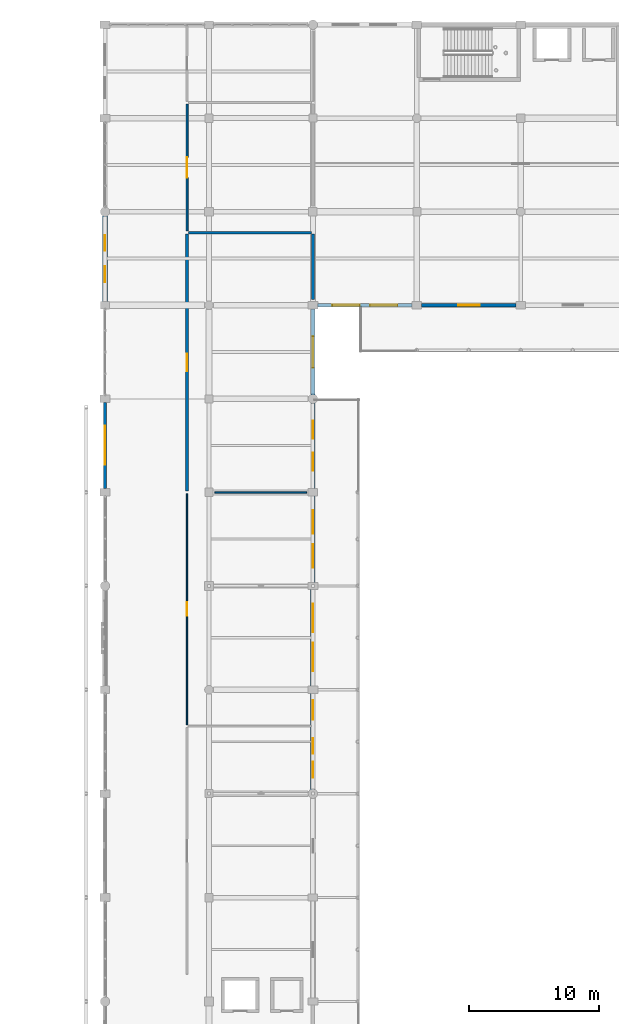
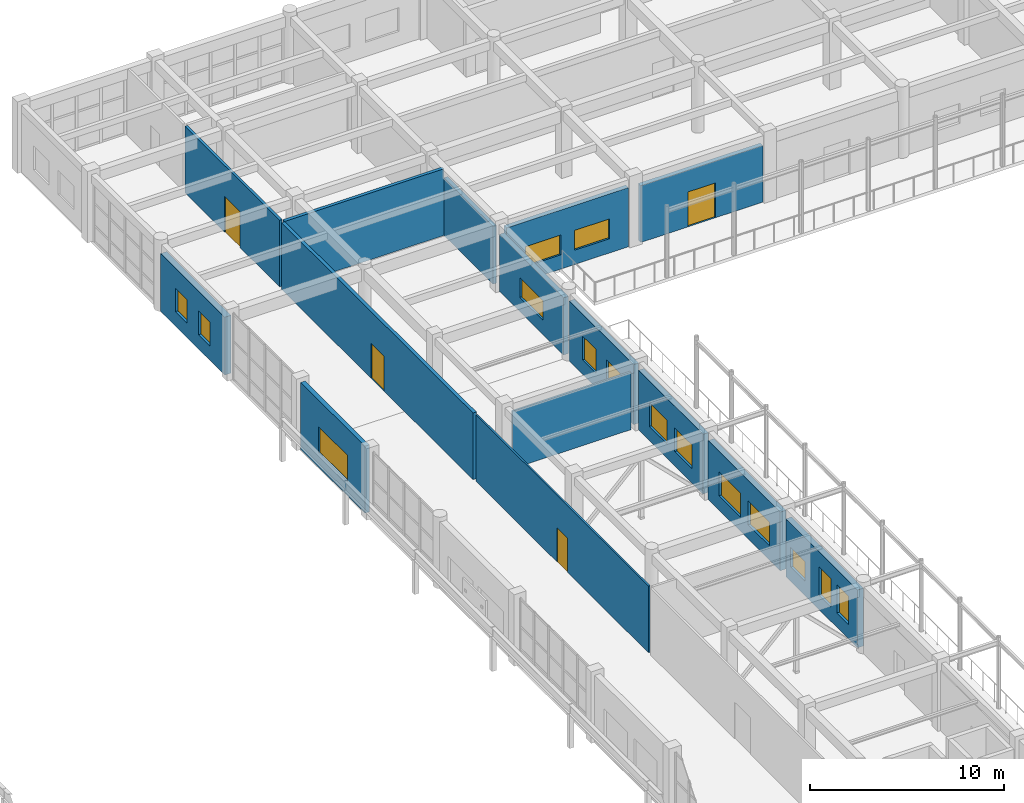
# One storey, part 130 of 160: 15 walls, 15 windows, 4 doors, 19 openings.
"""IFC4 building model written with IfcOpenShell, lengths in metres."""

from ifc_helpers import new_model, si_unit, direction, frame, frame_2d, origin, place, context, subcontext, project, spatial, rectangle, extrude, material, layer, layer_set, type_object, element, fill, save


model = new_model("IFC4")

# Units and contexts
model_context = context("Model", 3, precision=1e-05, world=origin(), true_north=direction((0.0, 1.0)))
body_context = subcontext(model_context, "Body", "Model", "MODEL_VIEW")
ifc_project = project(units=[si_unit("LENGTHUNIT", "METRE"), si_unit("AREAUNIT", "SQUARE_METRE"), si_unit("VOLUMEUNIT", "CUBIC_METRE"), si_unit("PLANEANGLEUNIT", "RADIAN"), si_unit("MASSUNIT", "GRAM", prefix="KILO")], contexts=[model_context])

# Site, building, storey
site_placement = place(None, origin())
site = spatial("IfcSite", under=ifc_project, at=site_placement, CompositionType="ELEMENT")
building_placement = place(site_placement, origin())
building = spatial("IfcBuilding", under=site, at=building_placement, Name="Kharva Crest Polytechnic", CompositionType="ELEMENT")
storey_placement = place(building_placement, frame((0.0, 0.0, 4.5)))
storey = spatial("IfcBuildingStorey", under=building, at=storey_placement, Name="L01", CompositionType="ELEMENT", Elevation=4.5)

# Wall, opening, window
ifc_material_1 = material(Name="Kiln brick masonry", Category="masonry")
ifc_layer_1 = layer(ifc_material_1, 0.260009765625, Name="Kiln brick masonry")
ifc_layer_set_1 = layer_set([ifc_layer_1], Name="Kiln brick masonry")
wall_type_1 = type_object("IfcWallType", Name="WL-EXT-BRK-260", PredefinedType="SOLIDWALL", material=ifc_layer_set_1)
wall_1_placement = place(storey_placement, frame((32.0, 92.929931640625, 0.0), z_axis=(0.0, 0.0, 1.0), x_axis=(0.0, -1.0, 0.0)))
wall_1 = element("IfcWall", 1, at=wall_1_placement, inside=storey, type_object=wall_type_1, Name="L01 Exterior Brick Wall 164", PredefinedType="SOLIDWALL", context=body_context, shape_type="SweptSolid", body=[
    extrude(rectangle(XDim=6.635009765625, YDim=0.260009765625, at=frame_2d((3.3173828125, 0.0))), origin(), (0.0, 0.0, 1.0), 4.219970703125),
])
opening_1_placement = place(wall_1_placement, frame((1.818115234375, 0.0, 0.89990234375)))
opening_1 = element("IfcOpeningElement", 2, at=opening_1_placement, cuts=wall_1, Name="Opening W23", PredefinedType="OPENING", context=body_context, shape_type="SweptSolid", body=[
    extrude(rectangle(XDim=3.0, YDim=1.64990234375, at=frame_2d((1.5, 0.824951171875))), frame((0.0, 0.139892578125, 0.0), z_axis=(0.0, -1.0, 0.0), x_axis=(1.0, 0.0, 0.0)), (0.0, 0.0, 1.0), 0.280029296875),
])
ifc_material_2 = material(Name="Anodised aluminium", Category="aluminium")
window_type_1 = type_object("IfcWindowType", Name="WIN-ALU-3000X1650", PartitioningType="SINGLE_PANEL", PredefinedType="WINDOW", material=ifc_material_2)
window_1_placement = place(opening_1_placement, origin())
window_1 = element("IfcWindow", 3, at=window_1_placement, inside=storey, type_object=window_type_1, Name="L01 Exterior Window 213", OverallHeight=1.64990234375, OverallWidth=3.0, PartitioningType="SINGLE_PANEL", PredefinedType="WINDOW", context=body_context, shape_type="SweptSolid", body=[
    extrude(rectangle(XDim=3.0, YDim=1.64990234375, at=frame_2d((1.5, 0.824951171875))), frame((0.0, 0.030029296875, 0.0), z_axis=(0.0, -1.0, 0.0), x_axis=(1.0, 0.0, 0.0)), (0.0, 0.0, 1.0), 0.06005859375),
])
fill(opening_1, window_1)

# Wall, opening, door
wall_2_placement = place(storey_placement, frame((56.3701171875, 100.39990234375, 0.0), z_axis=(0.0, 0.0, 1.0), x_axis=(1.0, 0.0, 0.0)))
wall_2 = element("IfcWall", 4, at=wall_2_placement, inside=storey, type_object=wall_type_1, Name="L01 Exterior Brick Wall 179", PredefinedType="SOLIDWALL", context=body_context, shape_type="SweptSolid", body=[
    extrude(rectangle(XDim=7.27490234375, YDim=0.260009765625, at=frame_2d((3.637451171875, 0.0))), origin(), (0.0, 0.0, 1.0), 3.570068359375),
])
opening_2_placement = place(wall_2_placement, frame((2.81298828125, 0.0, 0.0)))
opening_2 = element("IfcOpeningElement", 5, at=opening_2_placement, cuts=wall_2, Name="Opening ED7", PredefinedType="OPENING", context=body_context, shape_type="SweptSolid", body=[
    extrude(rectangle(XDim=1.64990234375, YDim=2.199951171875, at=frame_2d((0.824951171875, 1.10009765625))), frame((0.0, 0.139892578125, 0.0), z_axis=(0.0, -1.0, 0.0), x_axis=(1.0, 0.0, 0.0)), (0.0, 0.0, 1.0), 0.280029296875),
])
door_type_1 = type_object("IfcDoorType", Name="DR-EXT-TER-1650X2200", OperationType="NOTDEFINED", PredefinedType="DOOR", material=ifc_material_2)
door_1_placement = place(opening_2_placement, frame((1.64990234375, 0.0, 0.0), z_axis=(0.0, 0.0, 1.0), x_axis=(-1.0, 0.0, 0.0)))
door_1 = element("IfcDoor", 6, at=door_1_placement, inside=storey, type_object=door_type_1, Name="L01 VER_N_L01 Access Door 36", OperationType="DOUBLE_DOOR_SINGLE_SWING", OverallHeight=2.199951171875, OverallWidth=1.64990234375, PredefinedType="DOOR", context=body_context, shape_type="SweptSolid", body=[
    extrude(rectangle(XDim=1.64990234375, YDim=2.199951171875, at=frame_2d((0.824951171875, 1.10009765625))), frame((0.0, 0.02490234375, 0.0), z_axis=(0.0, -1.0, 0.0), x_axis=(1.0, 0.0, 0.0)), (0.0, 0.0, 1.0), 0.050048828125),
])
fill(opening_2, door_1)

# Wall, openings, windows
ifc_layer_2 = layer(ifc_material_1, 0.27490234375, Name="Kiln brick masonry")
ifc_layer_set_2 = layer_set([ifc_layer_2], Name="Kiln brick masonry")
wall_type_2 = type_object("IfcWallType", Name="WL-EXT-BRK-275", PredefinedType="SOLIDWALL", material=ifc_layer_set_2)
wall_3_placement = place(storey_placement, frame((48.3701171875, 100.39990234375, 0.0), z_axis=(0.0, 0.0, 1.0), x_axis=(1.0, 0.0, 0.0)))
wall_3 = element("IfcWall", 7, at=wall_3_placement, inside=storey, type_object=wall_type_2, Name="L01 Exterior Brick Wall 178", PredefinedType="SOLIDWALL", context=body_context, shape_type="SweptSolid", body=[
    extrude(rectangle(XDim=7.259765625, YDim=0.27490234375, at=frame_2d((3.6298828125, 0.0))), origin(), (0.0, 0.0, 1.0), 3.719970703125),
])
opening_3_placement = place(wall_3_placement, frame((1.126953125, 0.0, 0.89990234375)))
opening_3 = element("IfcOpeningElement", 8, at=opening_3_placement, cuts=wall_3, Name="Opening W18", PredefinedType="OPENING", context=body_context, shape_type="SweptSolid", body=[
    extrude(rectangle(XDim=2.10009765625, YDim=1.25, at=frame_2d((1.050048828125, 0.625))), frame((0.0, 0.1474609375, 0.0), z_axis=(0.0, -1.0, 0.0), x_axis=(1.0, 0.0, 0.0)), (0.0, 0.0, 1.0), 0.294921875),
])
opening_4_placement = place(wall_3_placement, frame((4.032958984375, 0.0, 0.89990234375)))
opening_4 = element("IfcOpeningElement", 9, at=opening_4_placement, cuts=wall_3, Name="Opening W18", PredefinedType="OPENING", context=body_context, shape_type="SweptSolid", body=[
    extrude(rectangle(XDim=2.10009765625, YDim=1.25, at=frame_2d((1.050048828125, 0.625))), frame((0.0, 0.1474609375, 0.0), z_axis=(0.0, -1.0, 0.0), x_axis=(1.0, 0.0, 0.0)), (0.0, 0.0, 1.0), 0.294921875),
])
window_type_2 = type_object("IfcWindowType", Name="WIN-ALU-2100X1250", PartitioningType="SINGLE_PANEL", PredefinedType="WINDOW", material=ifc_material_2)
window_2_placement = place(opening_3_placement, origin())
window_2 = element("IfcWindow", 10, at=window_2_placement, inside=storey, type_object=window_type_2, Name="L01 Exterior Window 232", OverallHeight=1.25, OverallWidth=2.10009765625, PartitioningType="SINGLE_PANEL", PredefinedType="WINDOW", context=body_context, shape_type="SweptSolid", body=[
    extrude(rectangle(XDim=2.10009765625, YDim=1.25, at=frame_2d((1.050048828125, 0.625))), frame((0.0, 0.030029296875, 0.0), z_axis=(0.0, -1.0, 0.0), x_axis=(1.0, 0.0, 0.0)), (0.0, 0.0, 1.0), 0.06005859375),
])
fill(opening_3, window_2)
window_3_placement = place(opening_4_placement, origin())
window_3 = element("IfcWindow", 11, at=window_3_placement, inside=storey, type_object=window_type_2, Name="L01 Exterior Window 233", OverallHeight=1.25, OverallWidth=2.10009765625, PartitioningType="SINGLE_PANEL", PredefinedType="WINDOW", context=body_context, shape_type="SweptSolid", body=[
    extrude(rectangle(XDim=2.10009765625, YDim=1.25, at=frame_2d((1.050048828125, 0.625))), frame((0.0, 0.030029296875, 0.0), z_axis=(0.0, -1.0, 0.0), x_axis=(1.0, 0.0, 0.0)), (0.0, 0.0, 1.0), 0.06005859375),
])
fill(opening_4, window_3)

# Wall, opening, window
ifc_layer_3 = layer(ifc_material_1, 0.2900390625, Name="Kiln brick masonry")
ifc_layer_set_3 = layer_set([ifc_layer_3], Name="Kiln brick masonry")
wall_type_3 = type_object("IfcWallType", Name="WL-EXT-BRK-290", PredefinedType="SOLIDWALL", material=ifc_layer_set_3)
wall_4_placement = place(storey_placement, frame((48.0, 93.50244140625, 0.0), z_axis=(0.0, 0.0, 1.0), x_axis=(0.0, 1.0, 0.0)))
wall_4 = element("IfcWall", 12, at=wall_4_placement, inside=storey, type_object=wall_type_3, Name="L01 Exterior Brick Wall 177", PredefinedType="SOLIDWALL", context=body_context, shape_type="SweptSolid", body=[
    extrude(rectangle(XDim=6.6025390625, YDim=0.2900390625, at=frame_2d((3.30126953125, 0.0))), origin(), (0.0, 0.0, 1.0), 3.60009765625),
])
opening_5_placement = place(wall_4_placement, frame((2.10107421875, 0.0, 0.89990234375)))
opening_5 = element("IfcOpeningElement", 13, at=opening_5_placement, cuts=wall_4, Name="Opening W17", PredefinedType="OPENING", context=body_context, shape_type="SweptSolid", body=[
    extrude(rectangle(XDim=2.39990234375, YDim=1.25, at=frame_2d((1.199951171875, 0.625))), frame((0.0, 0.155029296875, 0.0), z_axis=(0.0, -1.0, 0.0), x_axis=(1.0, 0.0, 0.0)), (0.0, 0.0, 1.0), 0.31005859375),
])
window_type_3 = type_object("IfcWindowType", Name="WIN-ALU-2400X1250", PartitioningType="SINGLE_PANEL", PredefinedType="WINDOW", material=ifc_material_2)
window_4_placement = place(opening_5_placement, origin())
window_4 = element("IfcWindow", 14, at=window_4_placement, inside=storey, type_object=window_type_3, Name="L01 Exterior Window 231", OverallHeight=1.25, OverallWidth=2.39990234375, PartitioningType="SINGLE_PANEL", PredefinedType="WINDOW", context=body_context, shape_type="SweptSolid", body=[
    extrude(rectangle(XDim=2.39990234375, YDim=1.25, at=frame_2d((1.199951171875, 0.625))), frame((0.0, 0.030029296875, 0.0), z_axis=(0.0, -1.0, 0.0), x_axis=(1.0, 0.0, 0.0)), (0.0, 0.0, 1.0), 0.06005859375),
])
fill(opening_5, window_4)

# Wall, openings, windows
ifc_layer_4 = layer(ifc_material_1, 0.304931640625, Name="Kiln brick masonry")
ifc_layer_set_4 = layer_set([ifc_layer_4], Name="Kiln brick masonry")
wall_type_4 = type_object("IfcWallType", Name="WL-EXT-BRK-305", PredefinedType="SOLIDWALL", material=ifc_layer_set_4)
wall_5_placement = place(storey_placement, frame((48.0, 86.27001953125, 0.0), z_axis=(0.0, 0.0, 1.0), x_axis=(0.0, 1.0, 0.0)))
wall_5 = element("IfcWall", 15, at=wall_5_placement, inside=storey, type_object=wall_type_4, Name="L01 Exterior Brick Wall 176", PredefinedType="SOLIDWALL", context=body_context, shape_type="SweptSolid", body=[
    extrude(rectangle(XDim=6.627685546875, YDim=0.304931640625, at=frame_2d((3.31396484375, 0.0))), origin(), (0.0, 0.0, 1.0), 3.780029296875),
])
opening_6_placement = place(wall_5_placement, frame((1.383056640625, 0.0, 0.89990234375)))
opening_6 = element("IfcOpeningElement", 16, at=opening_6_placement, cuts=wall_5, Name="Opening W15", PredefinedType="OPENING", context=body_context, shape_type="SweptSolid", body=[
    extrude(rectangle(XDim=1.39990234375, YDim=1.5, at=frame_2d((0.699951171875, 0.75))), frame((0.0, 0.162353515625, 0.0), z_axis=(0.0, -1.0, 0.0), x_axis=(1.0, 0.0, 0.0)), (0.0, 0.0, 1.0), 0.324951171875),
])
opening_7_placement = place(wall_5_placement, frame((3.844970703125, 0.0, 0.89990234375)))
opening_7 = element("IfcOpeningElement", 17, at=opening_7_placement, cuts=wall_5, Name="Opening W15", PredefinedType="OPENING", context=body_context, shape_type="SweptSolid", body=[
    extrude(rectangle(XDim=1.39990234375, YDim=1.5, at=frame_2d((0.699951171875, 0.75))), frame((0.0, 0.162353515625, 0.0), z_axis=(0.0, -1.0, 0.0), x_axis=(1.0, 0.0, 0.0)), (0.0, 0.0, 1.0), 0.324951171875),
])
window_type_4 = type_object("IfcWindowType", Name="WIN-ALU-1400X1500", PartitioningType="SINGLE_PANEL", PredefinedType="WINDOW", material=ifc_material_2)
window_5_placement = place(opening_6_placement, origin())
window_5 = element("IfcWindow", 18, at=window_5_placement, inside=storey, type_object=window_type_4, Name="L01 Exterior Window 229", OverallHeight=1.5, OverallWidth=1.39990234375, PartitioningType="SINGLE_PANEL", PredefinedType="WINDOW", context=body_context, shape_type="SweptSolid", body=[
    extrude(rectangle(XDim=1.39990234375, YDim=1.5, at=frame_2d((0.699951171875, 0.75))), frame((0.0, 0.030029296875, 0.0), z_axis=(0.0, -1.0, 0.0), x_axis=(1.0, 0.0, 0.0)), (0.0, 0.0, 1.0), 0.06005859375),
])
fill(opening_6, window_5)
window_6_placement = place(opening_7_placement, origin())
window_6 = element("IfcWindow", 19, at=window_6_placement, inside=storey, type_object=window_type_4, Name="L01 Exterior Window 230", OverallHeight=1.5, OverallWidth=1.39990234375, PartitioningType="SINGLE_PANEL", PredefinedType="WINDOW", context=body_context, shape_type="SweptSolid", body=[
    extrude(rectangle(XDim=1.39990234375, YDim=1.5, at=frame_2d((0.699951171875, 0.75))), frame((0.0, 0.030029296875, 0.0), z_axis=(0.0, -1.0, 0.0), x_axis=(1.0, 0.0, 0.0)), (0.0, 0.0, 1.0), 0.06005859375),
])
fill(opening_7, window_6)

ifc_layer_5 = layer(ifc_material_1, 0.320068359375, Name="Kiln brick masonry")
ifc_layer_set_5 = layer_set([ifc_layer_5], Name="Kiln brick masonry")
wall_type_5 = type_object("IfcWallType", Name="WL-EXT-BRK-320", PredefinedType="SOLIDWALL", material=ifc_layer_set_5)
wall_6_placement = place(storey_placement, frame((48.0, 79.070068359375, 0.0), z_axis=(0.0, 0.0, 1.0), x_axis=(0.0, 1.0, 0.0)))
wall_6 = element("IfcWall", 20, at=wall_6_placement, inside=storey, type_object=wall_type_5, Name="L01 Exterior Brick Wall 175", PredefinedType="SOLIDWALL", context=body_context, shape_type="SweptSolid", body=[
    extrude(rectangle(XDim=6.659912109375, YDim=0.320068359375, at=frame_2d((3.330078125, 0.0))), origin(), (0.0, 0.0, 1.0), 3.760009765625),
])
opening_8_placement = place(wall_6_placement, frame((1.126953125, 0.0, 0.89990234375)))
opening_8 = element("IfcOpeningElement", 21, at=opening_8_placement, cuts=wall_6, Name="Opening W13", PredefinedType="OPENING", context=body_context, shape_type="SweptSolid", body=[
    extrude(rectangle(XDim=1.800048828125, YDim=1.5, at=frame_2d((0.89990234375, 0.75))), frame((0.0, 0.169921875, 0.0), z_axis=(0.0, -1.0, 0.0), x_axis=(1.0, 0.0, 0.0)), (0.0, 0.0, 1.0), 0.340087890625),
])
opening_9_placement = place(wall_6_placement, frame((3.73291015625, 0.0, 0.89990234375)))
opening_9 = element("IfcOpeningElement", 22, at=opening_9_placement, cuts=wall_6, Name="Opening W13", PredefinedType="OPENING", context=body_context, shape_type="SweptSolid", body=[
    extrude(rectangle(XDim=1.800048828125, YDim=1.5, at=frame_2d((0.89990234375, 0.75))), frame((0.0, 0.169921875, 0.0), z_axis=(0.0, -1.0, 0.0), x_axis=(1.0, 0.0, 0.0)), (0.0, 0.0, 1.0), 0.340087890625),
])
window_type_5 = type_object("IfcWindowType", Name="WIN-ALU-1800X1500", PartitioningType="SINGLE_PANEL", PredefinedType="WINDOW", material=ifc_material_2)
window_7_placement = place(opening_8_placement, origin())
window_7 = element("IfcWindow", 23, at=window_7_placement, inside=storey, type_object=window_type_5, Name="L01 Exterior Window 227", OverallHeight=1.5, OverallWidth=1.800048828125, PartitioningType="SINGLE_PANEL", PredefinedType="WINDOW", context=body_context, shape_type="SweptSolid", body=[
    extrude(rectangle(XDim=1.800048828125, YDim=1.5, at=frame_2d((0.89990234375, 0.75))), frame((0.0, 0.030029296875, 0.0), z_axis=(0.0, -1.0, 0.0), x_axis=(1.0, 0.0, 0.0)), (0.0, 0.0, 1.0), 0.06005859375),
])
fill(opening_8, window_7)
window_8_placement = place(opening_9_placement, origin())
window_8 = element("IfcWindow", 24, at=window_8_placement, inside=storey, type_object=window_type_5, Name="L01 Exterior Window 228", OverallHeight=1.5, OverallWidth=1.800048828125, PartitioningType="SINGLE_PANEL", PredefinedType="WINDOW", context=body_context, shape_type="SweptSolid", body=[
    extrude(rectangle(XDim=1.800048828125, YDim=1.5, at=frame_2d((0.89990234375, 0.75))), frame((0.0, 0.030029296875, 0.0), z_axis=(0.0, -1.0, 0.0), x_axis=(1.0, 0.0, 0.0)), (0.0, 0.0, 1.0), 0.06005859375),
])
fill(opening_9, window_8)

ifc_layer_6 = layer(ifc_material_1, 0.3349609375, Name="Kiln brick masonry")
ifc_layer_set_6 = layer_set([ifc_layer_6], Name="Kiln brick masonry")
wall_type_6 = type_object("IfcWallType", Name="WL-EXT-BRK-335", PredefinedType="SOLIDWALL", material=ifc_layer_set_6)
wall_7_placement = place(storey_placement, frame((48.0, 71.094970703125, 0.0), z_axis=(0.0, 0.0, 1.0), x_axis=(0.0, 1.0, 0.0)))
wall_7 = element("IfcWall", 25, at=wall_7_placement, inside=storey, type_object=wall_type_6, Name="L01 Exterior Brick Wall 174", PredefinedType="SOLIDWALL", context=body_context, shape_type="SweptSolid", body=[
    extrude(rectangle(XDim=7.43505859375, YDim=0.3349609375, at=frame_2d((3.717529296875, 0.0))), origin(), (0.0, 0.0, 1.0), 3.699951171875),
])
opening_10_placement = place(wall_7_placement, frame((1.117919921875, 0.0, 0.89990234375)))
opening_10 = element("IfcOpeningElement", 26, at=opening_10_placement, cuts=wall_7, Name="Opening W11", PredefinedType="OPENING", context=body_context, shape_type="SweptSolid", body=[
    extrude(rectangle(XDim=2.199951171875, YDim=1.5, at=frame_2d((1.10009765625, 0.75))), frame((0.0, 0.177490234375, 0.0), z_axis=(0.0, -1.0, 0.0), x_axis=(1.0, 0.0, 0.0)), (0.0, 0.0, 1.0), 0.35498046875),
])
opening_11_placement = place(wall_7_placement, frame((4.116943359375, 0.0, 0.89990234375)))
opening_11 = element("IfcOpeningElement", 27, at=opening_11_placement, cuts=wall_7, Name="Opening W11", PredefinedType="OPENING", context=body_context, shape_type="SweptSolid", body=[
    extrude(rectangle(XDim=2.199951171875, YDim=1.5, at=frame_2d((1.10009765625, 0.75))), frame((0.0, 0.177490234375, 0.0), z_axis=(0.0, -1.0, 0.0), x_axis=(1.0, 0.0, 0.0)), (0.0, 0.0, 1.0), 0.35498046875),
])
window_type_6 = type_object("IfcWindowType", Name="WIN-ALU-2200X1500", PartitioningType="SINGLE_PANEL", PredefinedType="WINDOW", material=ifc_material_2)
window_9_placement = place(opening_10_placement, origin())
window_9 = element("IfcWindow", 28, at=window_9_placement, inside=storey, type_object=window_type_6, Name="L01 Exterior Window 225", OverallHeight=1.5, OverallWidth=2.199951171875, PartitioningType="SINGLE_PANEL", PredefinedType="WINDOW", context=body_context, shape_type="SweptSolid", body=[
    extrude(rectangle(XDim=2.199951171875, YDim=1.5, at=frame_2d((1.10009765625, 0.75))), frame((0.0, 0.030029296875, 0.0), z_axis=(0.0, -1.0, 0.0), x_axis=(1.0, 0.0, 0.0)), (0.0, 0.0, 1.0), 0.06005859375),
])
fill(opening_10, window_9)
window_10_placement = place(opening_11_placement, origin())
window_10 = element("IfcWindow", 29, at=window_10_placement, inside=storey, type_object=window_type_6, Name="L01 Exterior Window 226", OverallHeight=1.5, OverallWidth=2.199951171875, PartitioningType="SINGLE_PANEL", PredefinedType="WINDOW", context=body_context, shape_type="SweptSolid", body=[
    extrude(rectangle(XDim=2.199951171875, YDim=1.5, at=frame_2d((1.10009765625, 0.75))), frame((0.0, 0.030029296875, 0.0), z_axis=(0.0, -1.0, 0.0), x_axis=(1.0, 0.0, 0.0)), (0.0, 0.0, 1.0), 0.06005859375),
])
fill(opening_11, window_10)

ifc_layer_7 = layer(ifc_material_1, 0.35009765625, Name="Kiln brick masonry")
ifc_layer_set_7 = layer_set([ifc_layer_7], Name="Kiln brick masonry")
wall_type_7 = type_object("IfcWallType", Name="WL-EXT-BRK-350", PredefinedType="SOLIDWALL", material=ifc_layer_set_7)
wall_8_placement = place(storey_placement, frame((48.0, 63.102294921875, 0.0), z_axis=(0.0, 0.0, 1.0), x_axis=(0.0, 1.0, 0.0)))
wall_8 = element("IfcWall", 30, at=wall_8_placement, inside=storey, type_object=wall_type_7, Name="L01 Exterior Brick Wall 173", PredefinedType="SOLIDWALL", context=body_context, shape_type="SweptSolid", body=[
    extrude(rectangle(XDim=7.402587890625, YDim=0.35009765625, at=frame_2d((3.701171875, 0.0))), origin(), (0.0, 0.0, 1.0), 3.639892578125),
])
opening_12_placement = place(wall_8_placement, frame((0.93896484375, 0.0, 0.89990234375)))
opening_12 = element("IfcOpeningElement", 31, at=opening_12_placement, cuts=wall_8, Name="Opening W08", PredefinedType="OPENING", context=body_context, shape_type="SweptSolid", body=[
    extrude(rectangle(XDim=1.199951171875, YDim=1.800048828125, at=frame_2d((0.60009765625, 0.89990234375))), frame((0.0, 0.18505859375, 0.0), z_axis=(0.0, -1.0, 0.0), x_axis=(1.0, 0.0, 0.0)), (0.0, 0.0, 1.0), 0.3701171875),
])
opening_13_placement = place(wall_8_placement, frame((2.759033203125, 0.0, 0.89990234375)))
opening_13 = element("IfcOpeningElement", 32, at=opening_13_placement, cuts=wall_8, Name="Opening W08", PredefinedType="OPENING", context=body_context, shape_type="SweptSolid", body=[
    extrude(rectangle(XDim=1.199951171875, YDim=1.800048828125, at=frame_2d((0.60009765625, 0.89990234375))), frame((0.0, 0.18505859375, 0.0), z_axis=(0.0, -1.0, 0.0), x_axis=(1.0, 0.0, 0.0)), (0.0, 0.0, 1.0), 0.3701171875),
])
opening_14_placement = place(wall_8_placement, frame((5.39990234375, 0.0, 0.89990234375)))
opening_14 = element("IfcOpeningElement", 33, at=opening_14_placement, cuts=wall_8, Name="Opening W20", PredefinedType="OPENING", context=body_context, shape_type="SweptSolid", body=[
    extrude(rectangle(XDim=1.5, YDim=1.25, at=frame_2d((0.75, 0.625))), frame((0.0, 0.18505859375, 0.0), z_axis=(0.0, -1.0, 0.0), x_axis=(1.0, 0.0, 0.0)), (0.0, 0.0, 1.0), 0.3701171875),
])
window_type_7 = type_object("IfcWindowType", Name="WIN-ALU-1200X1800", PartitioningType="SINGLE_PANEL", PredefinedType="WINDOW", material=ifc_material_2)
window_11_placement = place(opening_12_placement, origin())
window_11 = element("IfcWindow", 34, at=window_11_placement, inside=storey, type_object=window_type_7, Name="L01 Exterior Window 222", OverallHeight=1.800048828125, OverallWidth=1.199951171875, PartitioningType="SINGLE_PANEL", PredefinedType="WINDOW", context=body_context, shape_type="SweptSolid", body=[
    extrude(rectangle(XDim=1.199951171875, YDim=1.800048828125, at=frame_2d((0.60009765625, 0.89990234375))), frame((0.0, 0.030029296875, 0.0), z_axis=(0.0, -1.0, 0.0), x_axis=(1.0, 0.0, 0.0)), (0.0, 0.0, 1.0), 0.06005859375),
])
fill(opening_12, window_11)
window_12_placement = place(opening_13_placement, origin())
window_12 = element("IfcWindow", 35, at=window_12_placement, inside=storey, type_object=window_type_7, Name="L01 Exterior Window 223", OverallHeight=1.800048828125, OverallWidth=1.199951171875, PartitioningType="SINGLE_PANEL", PredefinedType="WINDOW", context=body_context, shape_type="SweptSolid", body=[
    extrude(rectangle(XDim=1.199951171875, YDim=1.800048828125, at=frame_2d((0.60009765625, 0.89990234375))), frame((0.0, 0.030029296875, 0.0), z_axis=(0.0, -1.0, 0.0), x_axis=(1.0, 0.0, 0.0)), (0.0, 0.0, 1.0), 0.06005859375),
])
fill(opening_13, window_12)
window_type_8 = type_object("IfcWindowType", Name="WIN-ALU-1500X1250", PartitioningType="SINGLE_PANEL", PredefinedType="WINDOW", material=ifc_material_2)
window_13_placement = place(opening_14_placement, origin())
window_13 = element("IfcWindow", 36, at=window_13_placement, inside=storey, type_object=window_type_8, Name="L01 Exterior Window 224", OverallHeight=1.25, OverallWidth=1.5, PartitioningType="SINGLE_PANEL", PredefinedType="WINDOW", context=body_context, shape_type="SweptSolid", body=[
    extrude(rectangle(XDim=1.5, YDim=1.25, at=frame_2d((0.75, 0.625))), frame((0.0, 0.030029296875, 0.0), z_axis=(0.0, -1.0, 0.0), x_axis=(1.0, 0.0, 0.0)), (0.0, 0.0, 1.0), 0.06005859375),
])
fill(opening_14, window_13)

ifc_layer_8 = layer(ifc_material_1, 0.364990234375, Name="Kiln brick masonry")
ifc_layer_set_8 = layer_set([ifc_layer_8], Name="Kiln brick masonry")
wall_type_8 = type_object("IfcWallType", Name="WL-EXT-BRK-365", PredefinedType="SOLIDWALL", material=ifc_layer_set_8)
wall_9_placement = place(storey_placement, frame((32.0, 107.297607421875, 0.0), z_axis=(0.0, 0.0, 1.0), x_axis=(0.0, -1.0, 0.0)))
wall_9 = element("IfcWall", 37, at=wall_9_placement, inside=storey, type_object=wall_type_8, Name="L01 Exterior Brick Wall 212", PredefinedType="SOLIDWALL", context=body_context, shape_type="SweptSolid", body=[
    extrude(rectangle(XDim=6.627685546875, YDim=0.364990234375, at=frame_2d((3.31396484375, 0.0))), origin(), (0.0, 0.0, 1.0), 3.639892578125),
])
opening_15_placement = place(wall_9_placement, frame((1.51611328125, 0.0, 0.89990234375)))
opening_15 = element("IfcOpeningElement", 38, at=opening_15_placement, cuts=wall_9, Name="Opening W16", PredefinedType="OPENING", context=body_context, shape_type="SweptSolid", body=[
    extrude(rectangle(XDim=1.199951171875, YDim=1.5, at=frame_2d((0.60009765625, 0.75))), frame((0.0, 0.1923828125, 0.0), z_axis=(0.0, -1.0, 0.0), x_axis=(1.0, 0.0, 0.0)), (0.0, 0.0, 1.0), 0.385009765625),
])
opening_16_placement = place(wall_9_placement, frame((3.912109375, 0.0, 0.89990234375)))
opening_16 = element("IfcOpeningElement", 39, at=opening_16_placement, cuts=wall_9, Name="Opening W16", PredefinedType="OPENING", context=body_context, shape_type="SweptSolid", body=[
    extrude(rectangle(XDim=1.199951171875, YDim=1.5, at=frame_2d((0.60009765625, 0.75))), frame((0.0, 0.1923828125, 0.0), z_axis=(0.0, -1.0, 0.0), x_axis=(1.0, 0.0, 0.0)), (0.0, 0.0, 1.0), 0.385009765625),
])
window_type_9 = type_object("IfcWindowType", Name="WIN-ALU-1200X1500", PartitioningType="SINGLE_PANEL", PredefinedType="WINDOW", material=ifc_material_2)
window_14_placement = place(opening_15_placement, origin())
window_14 = element("IfcWindow", 40, at=window_14_placement, inside=storey, type_object=window_type_9, Name="L01 Exterior Window 278", OverallHeight=1.5, OverallWidth=1.199951171875, PartitioningType="SINGLE_PANEL", PredefinedType="WINDOW", context=body_context, shape_type="SweptSolid", body=[
    extrude(rectangle(XDim=1.199951171875, YDim=1.5, at=frame_2d((0.60009765625, 0.75))), frame((0.0, 0.030029296875, 0.0), z_axis=(0.0, -1.0, 0.0), x_axis=(1.0, 0.0, 0.0)), (0.0, 0.0, 1.0), 0.06005859375),
])
fill(opening_15, window_14)
window_15_placement = place(opening_16_placement, origin())
window_15 = element("IfcWindow", 41, at=window_15_placement, inside=storey, type_object=window_type_9, Name="L01 Exterior Window 279", OverallHeight=1.5, OverallWidth=1.199951171875, PartitioningType="SINGLE_PANEL", PredefinedType="WINDOW", context=body_context, shape_type="SweptSolid", body=[
    extrude(rectangle(XDim=1.199951171875, YDim=1.5, at=frame_2d((0.60009765625, 0.75))), frame((0.0, 0.030029296875, 0.0), z_axis=(0.0, -1.0, 0.0), x_axis=(1.0, 0.0, 0.0)), (0.0, 0.0, 1.0), 0.06005859375),
])
fill(opening_16, window_15)

# Wall, opening, door
ifc_layer_9 = layer(ifc_material_1, 0.199951171875, Name="Kiln brick masonry")
ifc_layer_set_9 = layer_set([ifc_layer_9], Name="Kiln brick masonry")
wall_type_9 = type_object("IfcWallType", Name="WL-FIRE-FW1-200", PredefinedType="SOLIDWALL", material=ifc_layer_set_9)
wall_10_placement = place(storey_placement, frame((38.31005859375, 86.1201171875, 0.0), z_axis=(0.0, 0.0, 1.0), x_axis=(0.0, 1.0, 0.0)))
wall_10 = element("IfcWall", 42, at=wall_10_placement, inside=storey, type_object=wall_type_9, Name="L01 Interior Partition 120", PredefinedType="SOLIDWALL", context=body_context, shape_type="SweptSolid", body=[
    extrude(rectangle(XDim=19.769775390625, YDim=0.199951171875, at=frame_2d((9.884765625, 0.0))), origin(), (0.0, 0.0, 1.0), 4.199951171875),
])
opening_17_placement = place(wall_10_placement, frame((9.2099609375, 0.0, 0.0)))
opening_17 = element("IfcOpeningElement", 43, at=opening_17_placement, cuts=wall_10, Name="Opening ID6", PredefinedType="OPENING", context=body_context, shape_type="SweptSolid", body=[
    extrude(rectangle(XDim=1.35009765625, YDim=2.199951171875, at=frame_2d((0.675048828125, 1.10009765625))), frame((0.0, 0.10986328125, 0.0), z_axis=(0.0, -1.0, 0.0), x_axis=(1.0, 0.0, 0.0)), (0.0, 0.0, 1.0), 0.219970703125),
])
ifc_material_3 = material(Name="Teak timber", Category="wood")
door_type_2 = type_object("IfcDoorType", Name="DR-LAB-1350X2200", OperationType="NOTDEFINED", PredefinedType="DOOR", material=ifc_material_3)
door_2_placement = place(opening_17_placement, origin())
door_2 = element("IfcDoor", 44, at=door_2_placement, inside=storey, type_object=door_type_2, Name="L01 Industrial Pneumatics Laboratory Door", OperationType="SINGLE_SWING_RIGHT", OverallHeight=2.199951171875, OverallWidth=1.35009765625, PredefinedType="DOOR", context=body_context, shape_type="SweptSolid", body=[
    extrude(rectangle(XDim=1.35009765625, YDim=2.199951171875, at=frame_2d((0.675048828125, 1.10009765625))), frame((0.0, 0.02490234375, 0.0), z_axis=(0.0, -1.0, 0.0), x_axis=(1.0, 0.0, 0.0)), (0.0, 0.0, 1.0), 0.050048828125),
])
fill(opening_17, door_2)

ifc_layer_10 = layer(ifc_material_1, 0.10009765625, Name="Kiln brick masonry")
ifc_layer_set_10 = layer_set([ifc_layer_10], Name="Kiln brick masonry")
wall_type_10 = type_object("IfcWallType", Name="WL-PART-100", PredefinedType="PARTITIONING", material=ifc_layer_set_10)
wall_11_placement = place(storey_placement, frame((38.31005859375, 68.1201171875, 0.0), z_axis=(0.0, 0.0, 1.0), x_axis=(0.0, 1.0, 0.0)))
wall_11 = element("IfcWall", 45, at=wall_11_placement, inside=storey, type_object=wall_type_10, Name="L01 Interior Partition 118", PredefinedType="PARTITIONING", context=body_context, shape_type="SweptSolid", body=[
    extrude(rectangle(XDim=17.769775390625, YDim=0.10009765625, at=frame_2d((8.884765625, 0.0))), origin(), (0.0, 0.0, 1.0), 4.199951171875),
])
opening_18_placement = place(wall_11_placement, frame((8.364990234375, 0.0, 0.0)))
opening_18 = element("IfcOpeningElement", 46, at=opening_18_placement, cuts=wall_11, Name="Opening ID11", PredefinedType="OPENING", context=body_context, shape_type="SweptSolid", body=[
    extrude(rectangle(XDim=1.0400390625, YDim=2.14990234375, at=frame_2d((0.52001953125, 1.074951171875))), frame((0.0, 0.06005859375, 0.0), z_axis=(0.0, -1.0, 0.0), x_axis=(1.0, 0.0, 0.0)), (0.0, 0.0, 1.0), 0.1201171875),
])
door_type_3 = type_object("IfcDoorType", Name="DR-CLS-1040X2150", OperationType="NOTDEFINED", PredefinedType="DOOR", material=ifc_material_3)
door_3_placement = place(opening_18_placement, origin())
door_3 = element("IfcDoor", 47, at=door_3_placement, inside=storey, type_object=door_type_3, Name="L01 CAD CAM Drafting Classroom Door", OperationType="SINGLE_SWING_LEFT", OverallHeight=2.14990234375, OverallWidth=1.0400390625, PredefinedType="DOOR", context=body_context, shape_type="SweptSolid", body=[
    extrude(rectangle(XDim=1.0400390625, YDim=2.14990234375, at=frame_2d((0.52001953125, 1.074951171875))), frame((0.0, 0.02490234375, 0.0), z_axis=(0.0, -1.0, 0.0), x_axis=(1.0, 0.0, 0.0)), (0.0, 0.0, 1.0), 0.050048828125),
])
fill(opening_18, door_3)

# Wall
ifc_layer_11 = layer(ifc_material_1, 0.110107421875, Name="Kiln brick masonry")
ifc_layer_set_11 = layer_set([ifc_layer_11], Name="Kiln brick masonry")
wall_type_11 = type_object("IfcWallType", Name="WL-PART-110", PredefinedType="PARTITIONING", material=ifc_layer_set_11)
wall_12_placement = place(storey_placement, frame((40.455078125, 86.0, 0.0), z_axis=(0.0, 0.0, 1.0), x_axis=(1.0, 0.0, 0.0)))
element("IfcWall", 48, at=wall_12_placement, inside=storey, type_object=wall_type_11, Name="L01 Interior Partition 117", PredefinedType="PARTITIONING", context=body_context, shape_type="SweptSolid", body=[
    extrude(rectangle(XDim=7.054931640625, YDim=0.110107421875, at=frame_2d((3.52734375, 0.0))), origin(), (0.0, 0.0, 1.0), 3.6201171875),
])

# Wall, opening, door
ifc_layer_12 = layer(ifc_material_1, 0.14990234375, Name="Kiln brick masonry")
ifc_layer_set_12 = layer_set([ifc_layer_12], Name="Kiln brick masonry")
wall_type_12 = type_object("IfcWallType", Name="WL-PART-150", PredefinedType="PARTITIONING", material=ifc_layer_set_12)
wall_13_placement = place(storey_placement, frame((38.31005859375, 106.1201171875, 0.0), z_axis=(0.0, 0.0, 1.0), x_axis=(0.0, 1.0, 0.0)))
wall_13 = element("IfcWall", 49, at=wall_13_placement, inside=storey, type_object=wall_type_12, Name="L01 Interior Partition 123", PredefinedType="PARTITIONING", context=body_context, shape_type="SweptSolid", body=[
    extrude(rectangle(XDim=9.769775390625, YDim=0.14990234375, at=frame_2d((4.884765625, 0.0))), origin(), (0.0, 0.0, 1.0), 4.199951171875),
])
opening_19_placement = place(wall_13_placement, frame((4.0849609375, 0.0, 0.0)))
opening_19 = element("IfcOpeningElement", 50, at=opening_19_placement, cuts=wall_13, Name="Opening ID4", PredefinedType="OPENING", context=body_context, shape_type="SweptSolid", body=[
    extrude(rectangle(XDim=1.60009765625, YDim=2.25, at=frame_2d((0.800048828125, 1.125))), frame((0.0, 0.0849609375, 0.0), z_axis=(0.0, -1.0, 0.0), x_axis=(1.0, 0.0, 0.0)), (0.0, 0.0, 1.0), 0.169921875),
])
door_type_4 = type_object("IfcDoorType", Name="DR-WKSHP-DBL-1600X2250", OperationType="NOTDEFINED", PredefinedType="DOOR", material=ifc_material_3)
door_4_placement = place(opening_19_placement, origin())
door_4 = element("IfcDoor", 51, at=door_4_placement, inside=storey, type_object=door_type_4, Name="L01 Additive Manufacturing Workshop Door", OperationType="DOUBLE_DOOR_SINGLE_SWING", OverallHeight=2.25, OverallWidth=1.60009765625, PredefinedType="DOOR", context=body_context, shape_type="SweptSolid", body=[
    extrude(rectangle(XDim=1.60009765625, YDim=2.25, at=frame_2d((0.800048828125, 1.125))), frame((0.0, 0.02490234375, 0.0), z_axis=(0.0, -1.0, 0.0), x_axis=(1.0, 0.0, 0.0)), (0.0, 0.0, 1.0), 0.050048828125),
])
fill(opening_19, door_4)

# Walls
ifc_layer_13 = layer(ifc_material_1, 0.18994140625, Name="Kiln brick masonry")
ifc_layer_set_13 = layer_set([ifc_layer_13], Name="Kiln brick masonry")
wall_type_13 = type_object("IfcWallType", Name="WL-PART-190", PredefinedType="PARTITIONING", material=ifc_layer_set_13)
wall_14_placement = place(storey_placement, frame((38.419921875, 106.0, 0.0), z_axis=(0.0, 0.0, 1.0), x_axis=(1.0, 0.0, 0.0)))
element("IfcWall", 52, at=wall_14_placement, inside=storey, type_object=wall_type_13, Name="L01 Interior Partition 119", PredefinedType="PARTITIONING", context=body_context, shape_type="SweptSolid", body=[
    extrude(rectangle(XDim=9.469970703125, YDim=0.18994140625, at=frame_2d((4.73486328125, 0.0))), origin(), (0.0, 0.0, 1.0), 4.199951171875),
])
ifc_layer_14 = layer(ifc_material_1, 0.215087890625, Name="Kiln brick masonry")
ifc_layer_set_14 = layer_set([ifc_layer_14], Name="Kiln brick masonry")
wall_type_14 = type_object("IfcWallType", Name="WL-PART-215", PredefinedType="PARTITIONING", material=ifc_layer_set_14)
wall_15_placement = place(storey_placement, frame((48.0, 100.830078125, 0.0), z_axis=(0.0, 0.0, 1.0), x_axis=(0.0, 1.0, 0.0)))
element("IfcWall", 53, at=wall_15_placement, inside=storey, type_object=wall_type_14, Name="L01 Interior Partition 121", PredefinedType="PARTITIONING", context=body_context, shape_type="SweptSolid", body=[
    extrude(rectangle(XDim=5.059814453125, YDim=0.215087890625, at=frame_2d((2.52978515625, 0.0))), origin(), (0.0, 0.0, 1.0), 3.639892578125),
])

save(model, "model.ifc")
